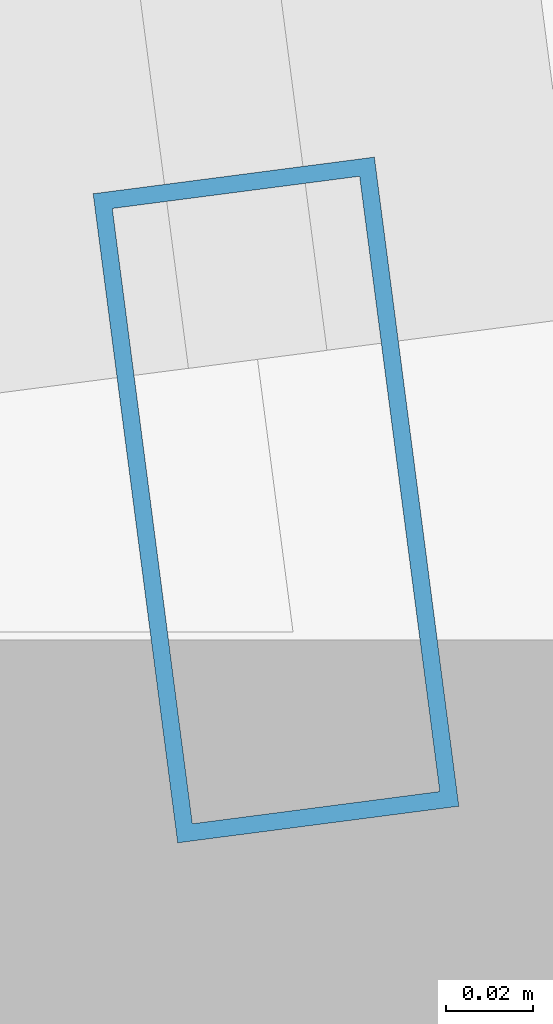
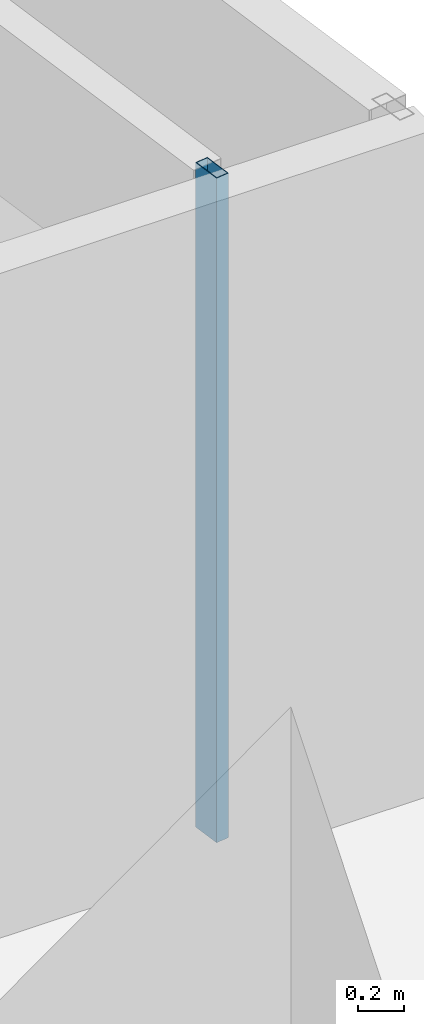
# One storey, part 20 of 40: 1 member, 1 element without a shape of its own.
"""IFC4 building model written with IfcOpenShell, lengths in metres."""

import ifcopenshell
import ifcopenshell.guid

model = None  # the IFC model being written
_history = None  # IfcOwnerHistory: only IFC2X3 demands one
_inside = {}  # id of a spatial element -> (the spatial element, [elements in it])
_under = {}  # id of a project, library or spatial element -> (it, [spatial elements below it])
_declared = {}  # id of a project -> (the project, [libraries it declares])
_typed = {}  # id of a type object -> (the type object, [elements of that type])
_made_of = {}  # id of a material, layer set ... -> (it, [elements and type objects made of it])


def new_model(schema):
    """Start an empty IFC model of exactly this schema.

    Asked for "IFC4X3", IfcOpenShell would pick the latest addendum, in which some entities
    have other attributes; the version numbers below select the first issue.
    IFC2X3 requires an IfcOwnerHistory on every rooted entity: one is made here for all.
    """
    global model, _history
    if schema == "IFC4X3":
        model = ifcopenshell.file(schema_version=(4, 3, 0, 0))
    else:
        model = ifcopenshell.file(schema=schema)
    _inside.clear()
    _under.clear()
    _declared.clear()
    _typed.clear()
    _made_of.clear()
    _history = None
    if model.schema == "IFC2X3":
        org = make("IfcOrganization", Name="unknown")
        user = make(
            "IfcPersonAndOrganization",
            ThePerson=make("IfcPerson", FamilyName="unknown"),
            TheOrganization=org,
        )
        app = make(
            "IfcApplication",
            ApplicationDeveloper=org,
            Version="unknown",
            ApplicationFullName="unknown",
            ApplicationIdentifier="unknown",
        )
        _history = make(
            "IfcOwnerHistory",
            OwningUser=user,
            OwningApplication=app,
            ChangeAction="ADDED",
            CreationDate=0,
        )
    return model


def make(cls, **values):
    """One entity of the class cls with the attributes given. An attribute that is None is left unset."""
    return model.create_entity(
        cls, **{name: value for name, value in values.items() if value is not None}
    )


def rooted(cls, **values):
    """An entity with a GlobalId (a new one), such as an element, a storey or a relation."""
    return make(cls, GlobalId=ifcopenshell.guid.new(), OwnerHistory=_history, **values)


def si_unit(unit_type, name, prefix=None):
    """IfcSIUnit, for example si_unit("LENGTHUNIT", "METRE", prefix="MILLI")."""
    return make("IfcSIUnit", UnitType=unit_type, Prefix=prefix, Name=name)


def assignment(units):
    """IfcUnitAssignment: the units of a project."""
    return None if units is None else make("IfcUnitAssignment", Units=units)


def point(xyz):
    """IfcCartesianPoint."""
    return None if xyz is None else make("IfcCartesianPoint", Coordinates=xyz)


def direction(xyz):
    """IfcDirection."""
    return None if xyz is None else make("IfcDirection", DirectionRatios=xyz)


def frame(location, z_axis=None, x_axis=None):
    """IfcAxis2Placement3D, a coordinate frame: its origin and axes. An axis left out is left unset."""
    return make(
        "IfcAxis2Placement3D",
        Location=point(location),
        Axis=direction(z_axis),
        RefDirection=direction(x_axis),
    )


def frame_2d(location, x_axis=None):
    """IfcAxis2Placement2D, a coordinate frame in the plane: its origin and x axis."""
    return make(
        "IfcAxis2Placement2D", Location=point(location), RefDirection=direction(x_axis)
    )


def origin():
    """The frame at (0, 0, 0) with its axes left unset."""
    return frame((0.0, 0.0, 0.0))


def origin_2d():
    """The frame at (0, 0) in the plane with its x axis left unset."""
    return frame_2d((0.0, 0.0))


def place(relative_to, where):
    """IfcLocalPlacement: puts the frame where relative to a parent placement (None: the world)."""
    return make(
        "IfcLocalPlacement", PlacementRelTo=relative_to, RelativePlacement=where
    )


def context(
    kind, dimensions, precision=None, world=None, true_north=None, identifier=None
):
    """IfcGeometricRepresentationContext, for example the 3D "Model" context."""
    return make(
        "IfcGeometricRepresentationContext",
        ContextIdentifier=identifier,
        ContextType=kind,
        CoordinateSpaceDimension=dimensions,
        Precision=precision,
        WorldCoordinateSystem=world,
        TrueNorth=true_north,
    )


def subcontext(parent, identifier, kind, view, scale=None):
    """IfcGeometricRepresentationSubContext, for example "Body" below "Model"."""
    return make(
        "IfcGeometricRepresentationSubContext",
        ContextIdentifier=identifier,
        ContextType=kind,
        ParentContext=parent,
        TargetScale=scale,
        TargetView=view,
    )


def project(units=None, contexts=None):
    """IfcProject with its units and contexts."""
    return rooted(
        "IfcProject",
        Name="project",
        RepresentationContexts=contexts,
        UnitsInContext=assignment(units),
    )


def spatial(cls, under=None, at=None, **own):
    """A site, building, storey or space (cls), placed at a placement, below another one or the project."""
    s = rooted(cls, ObjectPlacement=at, **own)
    if under is not None:
        _under.setdefault(under.id(), (under, []))[1].append(s)
    return s


def profile(cls, at=None, kind="AREA", **sizes):
    """A parametric profile (cls). Its sizes go by their IFC names, for example OverallWidth=200.0."""
    return make(cls, ProfileType=kind, Position=at, **sizes)


def hollow_rectangle(**sizes):
    """IfcRectangleHollowProfileDef."""
    return profile("IfcRectangleHollowProfileDef", **sizes)


def extrude(swept, where, along, depth):
    """IfcExtrudedAreaSolid: the profile swept, set in the frame where, extruded along a direction by depth."""
    return make(
        "IfcExtrudedAreaSolid",
        SweptArea=swept,
        Position=where,
        ExtrudedDirection=direction(along),
        Depth=depth,
    )


def shape(context_of_items, identifier, shape_type, items):
    """IfcShapeRepresentation: the items that make up one representation, for example the "Body"."""
    return make(
        "IfcShapeRepresentation",
        ContextOfItems=context_of_items,
        RepresentationIdentifier=identifier,
        RepresentationType=shape_type,
        Items=items,
    )


def material(Name=None, Category=None):
    """IfcMaterial."""
    return make("IfcMaterial", Name=Name, Category=Category)


def material_profile(
    of_material, cross_section, Name=None, Category=None, Priority=None
):
    """IfcMaterialProfile: a cross section and its material."""
    return make(
        "IfcMaterialProfile",
        Name=Name,
        Material=of_material,
        Profile=cross_section,
        Priority=Priority,
        Category=Category,
    )


def profile_set(profiles, Name=None, composite=None):
    """IfcMaterialProfileSet."""
    return make(
        "IfcMaterialProfileSet",
        Name=Name,
        MaterialProfiles=profiles,
        CompositeProfile=composite,
    )


def made_of(thing, what):
    """Note that an element or type object is made of a material, layer set ...; save() writes the relation."""
    if what is not None:
        _made_of.setdefault(what.id(), (what, []))[1].append(thing)
    return thing


def type_object(cls, material=None, **own):
    """A type object (cls), such as IfcWallType, which elements share."""
    return made_of(rooted(cls, **own), material)


def element(
    cls,
    number,
    at=None,
    inside=None,
    cuts=None,
    type_object=None,
    material=None,
    context=None,
    identifier="Body",
    shape_type=None,
    held_by="IfcProductDefinitionShape",
    body=None,
    shapes=None,
    **own,
):
    """One element of the class cls, such as IfcWall. Its Tag is "e" and its number.

    at: its placement. inside: the storey or other place that contains it. cuts: it is an
    opening in that element (IfcRelVoidsElement). A single representation is given by context,
    identifier, shape_type and body (its items); several are given by shapes. held_by: the class
    of the entity that holds the representations. save() writes the other relations.
    """
    e = rooted(cls, Tag="e%d" % number, ObjectPlacement=at, **own)
    if body is not None:
        shapes = [shape(context, identifier, shape_type, body)]
    if shapes is not None:
        e.Representation = make(held_by, Representations=shapes)
    if inside is not None:
        _inside.setdefault(inside.id(), (inside, []))[1].append(e)
    if cuts is not None:
        rooted(
            "IfcRelVoidsElement", RelatingBuildingElement=cuts, RelatedOpeningElement=e
        )
    if type_object is not None:
        _typed.setdefault(type_object.id(), (type_object, []))[1].append(e)
    return made_of(e, material)


def aggregate(whole, parts):
    """IfcRelAggregates: a whole, such as a stair, and the parts it consists of."""
    return rooted("IfcRelAggregates", RelatingObject=whole, RelatedObjects=parts)


def save(model, path):
    """Write the relations noted so far, then the file.

    IfcRelAggregates (storeys below a building ...), IfcRelContainedInSpatialStructure (elements
    in a storey), IfcRelDefinesByType, IfcRelAssociatesMaterial and IfcRelDeclares: one each for
    every whole, place, type object, material and project.
    """
    for whole, parts in _under.values():
        aggregate(whole, parts)
    for where, things in _inside.values():
        rooted(
            "IfcRelContainedInSpatialStructure",
            RelatedElements=things,
            RelatingStructure=where,
        )
    for kind, things in _typed.values():
        rooted("IfcRelDefinesByType", RelatedObjects=things, RelatingType=kind)
    for what, things in _made_of.values():
        rooted("IfcRelAssociatesMaterial", RelatedObjects=things, RelatingMaterial=what)
    for by, libraries in _declared.values():
        rooted("IfcRelDeclares", RelatingContext=by, RelatedDefinitions=libraries)
    model.write(path)


model = new_model("IFC4")

# Units and contexts
model_context = context("Model", 3, precision=1e-05, world=origin(), true_north=direction((0.0, 1.0)))
body_context = subcontext(model_context, "Body", "Model", "MODEL_VIEW")
ifc_project = project(units=[si_unit("LENGTHUNIT", "METRE"), si_unit("AREAUNIT", "SQUARE_METRE"), si_unit("VOLUMEUNIT", "CUBIC_METRE"), si_unit("PLANEANGLEUNIT", "RADIAN"), si_unit("MASSUNIT", "GRAM", prefix="KILO")], contexts=[model_context])

# Site, building, storey
site_placement = place(None, origin())
site = spatial("IfcSite", under=ifc_project, at=site_placement, CompositionType="ELEMENT")
building_placement = place(site_placement, origin())
building = spatial("IfcBuilding", under=site, at=building_placement, Name="Rekha Terrace Tower", CompositionType="ELEMENT")
storey_placement = place(building_placement, frame((0.0, 0.0, 99.050048828125)))
storey = spatial("IfcBuildingStorey", under=building, at=storey_placement, Name="L24", CompositionType="ELEMENT", Elevation=99.050048828125)

# Curtain wall, member
ifc_material_1 = material(Name="Aluminium framing", Category="aluminium")
curtain_wall_type = type_object("IfcCurtainWallType", Name="CW1 double skin inner glazing", PredefinedType="USERDEFINED", material=ifc_material_1)
curtain_wall_placement = place(storey_placement, origin())
curtain_wall = element("IfcCurtainWall", 1, at=curtain_wall_placement, inside=storey, type_object=curtain_wall_type, Name="CW1 double skin inner glazing", ObjectType="DOUBLE SKIN INNER GLAZING", PredefinedType="USERDEFINED")
ifc_material_2 = material(Name="Aluminium mullion section", Category="aluminium")
ifc_material_profile = material_profile(ifc_material_2, hollow_rectangle(XDim=0.06494140625, YDim=0.14990234375, WallThickness=0.00390625, at=origin_2d()), Name="AL RHS 65x150")
ifc_profile_set = profile_set([ifc_material_profile], Name="Aluminium mullion section")
member_type = type_object("IfcMemberType", Name="CW1 mullion RHS 65 x 150", PredefinedType="MULLION", material=ifc_profile_set)
member_placement = place(storey_placement, frame((68.8740234375, 53.357177734375, 0.0), z_axis=(0.0, 0.0, 1.0), x_axis=(-0.991629186228, -0.129118383745, 0.0)))
member = element("IfcMember", 2, at=member_placement, type_object=member_type, Name="CW1 mullion 1", PredefinedType="MULLION", context=body_context, shape_type="SweptSolid", body=[
    extrude(hollow_rectangle(XDim=0.06494140625, YDim=0.14990234375, WallThickness=0.00390625, at=origin_2d()), origin(), (0.0, 0.0, 1.0), 3.5),
])
aggregate(curtain_wall, [member])

save(model, "model.ifc")
